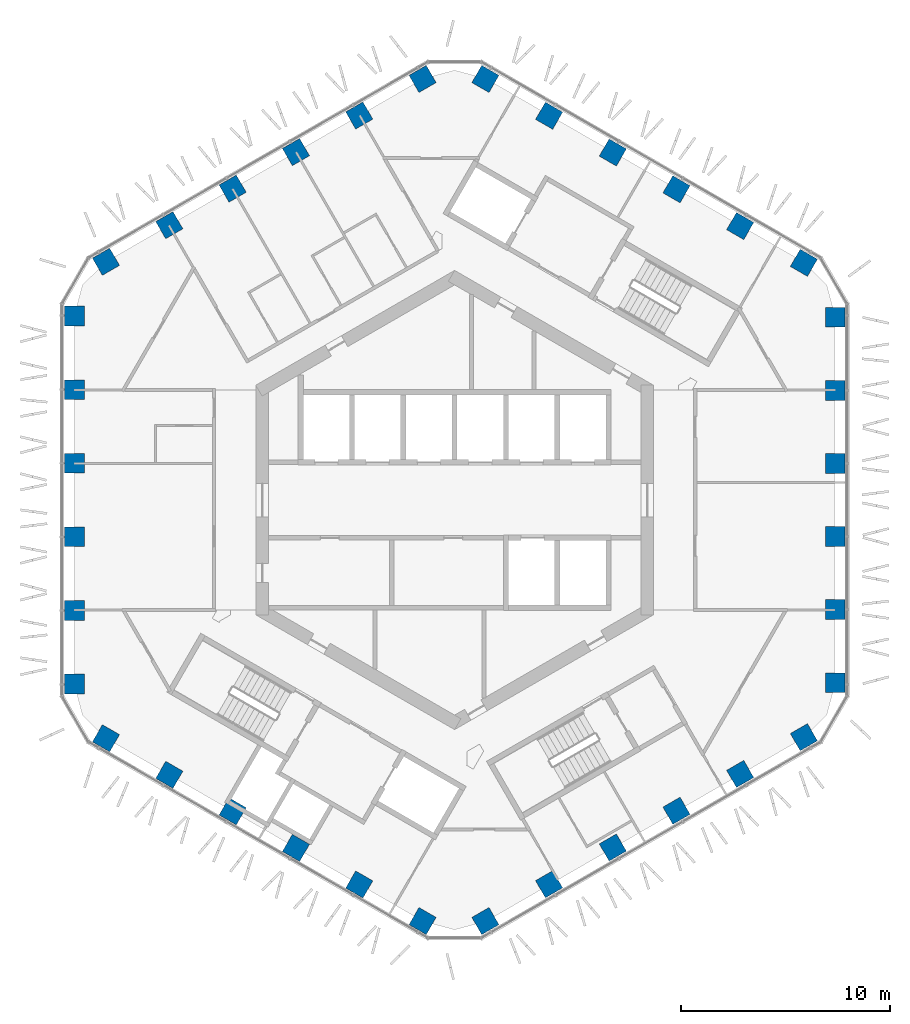
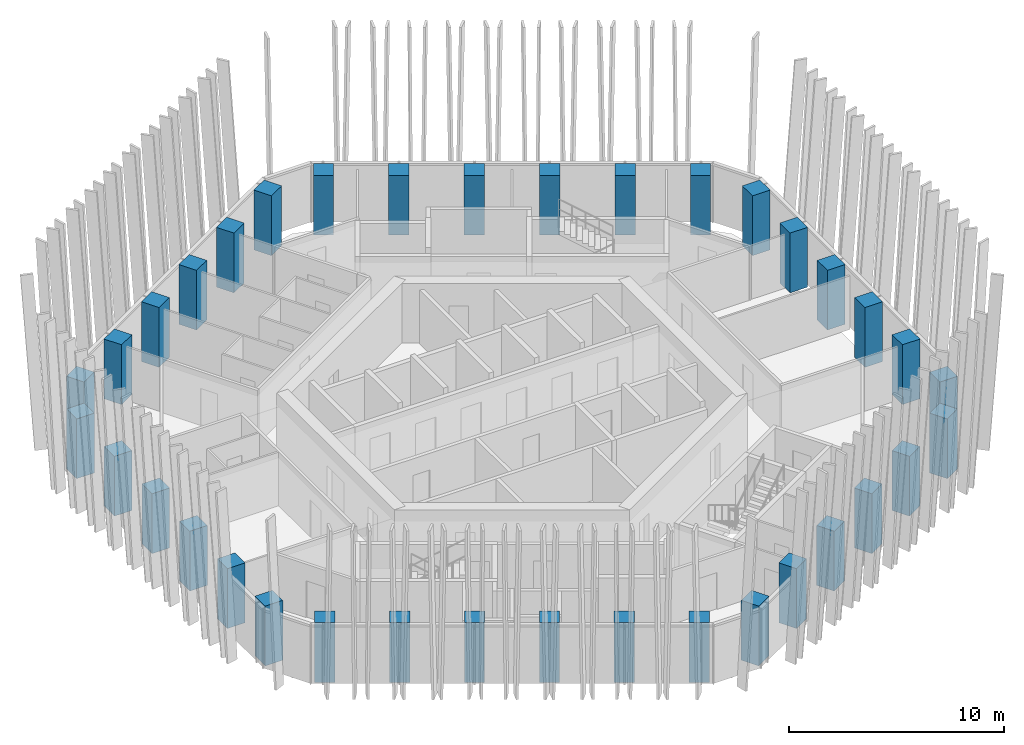
# One storey, part 1 of 21: 36 columns.
"""IFC4 building model written with IfcOpenShell, lengths in metres."""

from ifc_helpers import new_model, si_unit, direction, frame, origin, origin_2d, place, context, subcontext, project, spatial, rectangle, extrude, material, material_profile, profile_set, type_object, element, save


model = new_model("IFC4")

# Units and contexts
model_context = context("Model", 3, precision=1e-05, world=origin(), true_north=direction((0.0, 1.0)))
body_context = subcontext(model_context, "Body", "Model", "MODEL_VIEW")
ifc_project = project(units=[si_unit("LENGTHUNIT", "METRE"), si_unit("AREAUNIT", "SQUARE_METRE"), si_unit("VOLUMEUNIT", "CUBIC_METRE"), si_unit("PLANEANGLEUNIT", "RADIAN"), si_unit("MASSUNIT", "GRAM", prefix="KILO")], contexts=[model_context])

# Site, building, storey
site_placement = place(None, origin())
site = spatial("IfcSite", under=ifc_project, at=site_placement, CompositionType="ELEMENT")
building_placement = place(site_placement, origin())
building = spatial("IfcBuilding", under=site, at=building_placement, Name="Ayvan Gate Tower", CompositionType="ELEMENT")
storey_placement = place(building_placement, frame((0.0, 0.0, 152.699951171875)))
storey = spatial("IfcBuildingStorey", under=building, at=storey_placement, Name="L40", CompositionType="ELEMENT", Elevation=152.699951171875)

# Columns
ifc_material = material(Name="Concrete C55/67", Category="concrete")
ifc_material_profile = material_profile(ifc_material, rectangle(XDim=0.949951171875, YDim=0.949951171875, at=origin_2d()), Name="RC 950x950")
ifc_profile_set = profile_set([ifc_material_profile], Name="Concrete C55/67")
column_type = type_object("IfcColumnType", Name="Tube column RC 950x950 C55/67", PredefinedType="COLUMN", material=ifc_profile_set)
for number, where, z_axis, x_axis, name in (
    (1, (18.1865234375, -8.733642578125, 0.0), (0.0, 0.0, 1.0), (1.0, 0.0, 0.0), "C-T0-0-L40"),
    (2, (18.1865234375, -5.240234375, 0.0), (0.0, 0.0, 1.0), (1.0, 0.0, 0.0), "C-T0-1-L40"),
    (3, (18.1865234375, -1.746826171875, 0.0), (0.0, 0.0, 1.0), (1.0, 0.0, 0.0), "C-T0-2-L40"),
    (4, (18.1865234375, 1.746826171875, 0.0), (0.0, 0.0, 1.0), (1.0, 0.0, 0.0), "C-T0-3-L40"),
    (5, (18.1865234375, 5.240234375, 0.0), (0.0, 0.0, 1.0), (1.0, 0.0, 0.0), "C-T0-4-L40"),
    (6, (18.1865234375, 8.733642578125, 0.0), (0.0, 0.0, 1.0), (1.0, 0.0, 0.0), "C-T0-5-L40"),
    (7, (16.6865234375, 11.331787109375, 0.0), (0.0, 0.0, 1.0), (0.5, 0.866025403784, 0.0), "C-T1-0-L40"),
    (8, (13.643310546875, 13.0888671875, 0.0), (0.0, 0.0, 1.0), (0.5, 0.866025403784, 0.0), "C-T1-1-L40"),
    (9, (10.60009765625, 14.845703125, 0.0), (0.0, 0.0, 1.0), (0.5, 0.866025403784, 0.0), "C-T1-2-L40"),
    (10, (7.556884765625, 16.602783203125, 0.0), (0.0, 0.0, 1.0), (0.5, 0.866025403784, 0.0), "C-T1-3-L40"),
    (11, (4.513671875, 18.35986328125, 0.0), (0.0, 0.0, 1.0), (0.5, 0.866025403784, 0.0), "C-T1-4-L40"),
    (12, (1.47021484375, 20.116943359375, 0.0), (0.0, 0.0, 1.0), (0.5, 0.866025403784, 0.0), "C-T1-5-L40"),
    (13, (-1.52978515625, 20.116943359375, 0.0), (0.0, 0.0, 1.0), (-0.5, 0.866025403784, 0.0), "C-T2-0-L40"),
    (14, (-4.55517578125, 18.3701171875, 0.0), (0.0, 0.0, 1.0), (-0.5, 0.866025403784, 0.0), "C-T2-1-L40"),
    (15, (-7.58056640625, 16.623291015625, 0.0), (0.0, 0.0, 1.0), (-0.5, 0.866025403784, 0.0), "C-T2-2-L40"),
    (16, (-10.60595703125, 14.876708984375, 0.0), (0.0, 0.0, 1.0), (-0.5, 0.866025403784, 0.0), "C-T2-3-L40"),
    (17, (-13.63134765625, 13.1298828125, 0.0), (0.0, 0.0, 1.0), (-0.5, 0.866025403784, 0.0), "C-T2-4-L40"),
    (18, (-16.65673828125, 11.383056640625, 0.0), (0.0, 0.0, 1.0), (-0.5, 0.866025403784, 0.0), "C-T2-5-L40"),
    (19, (-18.15673828125, 8.78515625, 0.0), (0.0, 0.0, 1.0), (-1.0, 0.0, 0.0), "C-T3-0-L40"),
    (20, (-18.15673828125, 5.27099609375, 0.0), (0.0, 0.0, 1.0), (-1.0, 0.0, 0.0), "C-T3-1-L40"),
    (21, (-18.15673828125, 1.757080078125, 0.0), (0.0, 0.0, 1.0), (-1.0, 0.0, 0.0), "C-T3-2-L40"),
    (22, (-18.15673828125, -1.757080078125, 0.0), (0.0, 0.0, 1.0), (-1.0, 0.0, 0.0), "C-T3-3-L40"),
    (23, (-18.15673828125, -5.27099609375, 0.0), (0.0, 0.0, 1.0), (-1.0, 0.0, 0.0), "C-T3-4-L40"),
    (24, (-18.15673828125, -8.78515625, 0.0), (0.0, 0.0, 1.0), (-1.0, 0.0, 0.0), "C-T3-5-L40"),
    (25, (-16.65673828125, -11.383056640625, 0.0), (0.0, 0.0, 1.0), (-0.5, -0.866025403784, 0.0), "C-T4-0-L40"),
    (26, (-13.63134765625, -13.1298828125, 0.0), (0.0, 0.0, 1.0), (-0.5, -0.866025403784, 0.0), "C-T4-1-L40"),
    (27, (-10.60595703125, -14.876708984375, 0.0), (0.0, 0.0, 1.0), (-0.5, -0.866025403784, 0.0), "C-T4-2-L40"),
    (28, (-7.58056640625, -16.623291015625, 0.0), (0.0, 0.0, 1.0), (-0.5, -0.866025403784, 0.0), "C-T4-3-L40"),
    (29, (-4.55517578125, -18.3701171875, 0.0), (0.0, 0.0, 1.0), (-0.5, -0.866025403784, 0.0), "C-T4-4-L40"),
    (30, (-1.52978515625, -20.116943359375, 0.0), (0.0, 0.0, 1.0), (-0.5, -0.866025403784, 0.0), "C-T4-5-L40"),
    (31, (1.47021484375, -20.116943359375, 0.0), (0.0, 0.0, 1.0), (0.5, -0.866025403784, 0.0), "C-T5-0-L40"),
    (32, (4.513671875, -18.35986328125, 0.0), (0.0, 0.0, 1.0), (0.5, -0.866025403784, 0.0), "C-T5-1-L40"),
    (33, (7.556884765625, -16.602783203125, 0.0), (0.0, 0.0, 1.0), (0.5, -0.866025403784, 0.0), "C-T5-2-L40"),
    (34, (10.60009765625, -14.845703125, 0.0), (0.0, 0.0, 1.0), (0.5, -0.866025403784, 0.0), "C-T5-3-L40"),
    (35, (13.643310546875, -13.0888671875, 0.0), (0.0, 0.0, 1.0), (0.5, -0.866025403784, 0.0), "C-T5-4-L40"),
    (36, (16.6865234375, -11.331787109375, 0.0), (0.0, 0.0, 1.0), (0.5, -0.866025403784, 0.0), "C-T5-5-L40"),
):
    element("IfcColumn", number, at=place(storey_placement, frame(where, z_axis=z_axis, x_axis=x_axis)), inside=storey, type_object=column_type, Name=name, PredefinedType="COLUMN", context=body_context, shape_type="SweptSolid", body=[
        extrude(rectangle(XDim=0.949951171875, YDim=0.949951171875, at=origin_2d()), origin(), (0.0, 0.0, 1.0), 3.400146484375),
    ])

save(model, "model.ifc")
